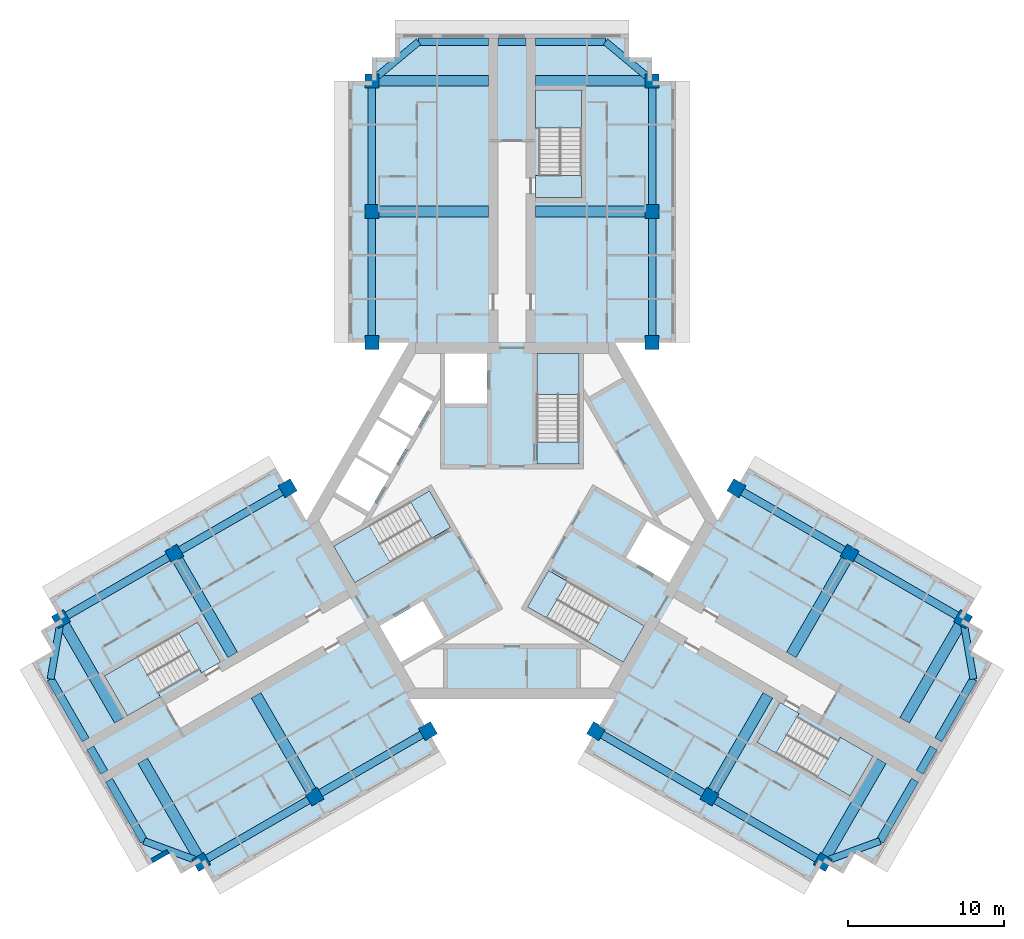
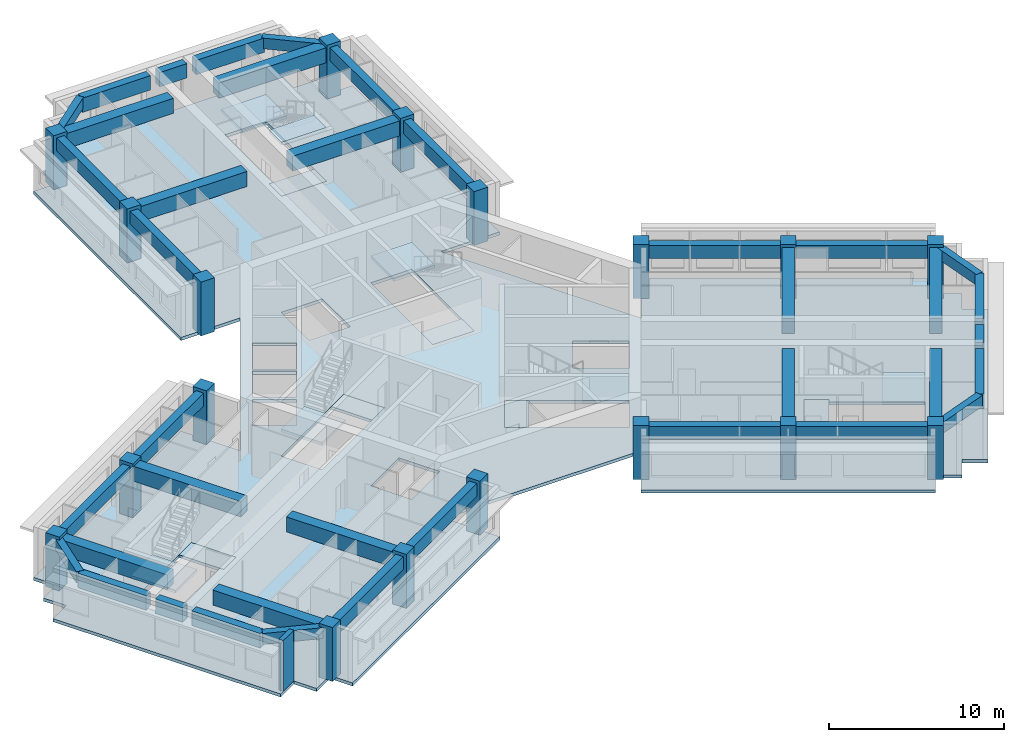
# One storey, part 1 of 10: 39 beams, 18 columns, 14 slabs, 1 wall, 6 elements without a shape of their own.
"""IFC4 building model written with IfcOpenShell, lengths in metres."""

from ifc_helpers import new_model, si_unit, direction, frame, frame_2d, origin, origin_2d, place, context, subcontext, project, spatial, polyline, rectangle, outline, extrude, material, layer, layer_set, material_profile, profile_set, type_object, element, aggregate, save


model = new_model("IFC4")

# Units and contexts
model_context = context("Model", 3, precision=1e-05, world=origin(), true_north=direction((0.0, 1.0)))
body_context = subcontext(model_context, "Body", "Model", "MODEL_VIEW")
ifc_project = project(units=[si_unit("LENGTHUNIT", "METRE"), si_unit("AREAUNIT", "SQUARE_METRE"), si_unit("VOLUMEUNIT", "CUBIC_METRE"), si_unit("PLANEANGLEUNIT", "RADIAN"), si_unit("MASSUNIT", "GRAM", prefix="KILO")], contexts=[model_context])

# Site, building, storey
site_placement = place(None, origin())
site = spatial("IfcSite", under=ifc_project, at=site_placement, CompositionType="ELEMENT")
building_placement = place(site_placement, origin())
building = spatial("IfcBuilding", under=site, at=building_placement, Name="Impinga Residences", CompositionType="ELEMENT")
storey_placement = place(building_placement, frame((0.0, 0.0, 267.25)))
storey = spatial("IfcBuildingStorey", under=building, at=storey_placement, Name="L67", CompositionType="ELEMENT", Elevation=267.25)

# Columns
ifc_material_1 = material(Name="Concrete C60/75", Category="concrete")
ifc_material_profile_1 = material_profile(ifc_material_1, rectangle(XDim=0.89990234375, YDim=0.89990234375, at=origin_2d()), Name="RC 900x900")
ifc_profile_set_1 = profile_set([ifc_material_profile_1], Name="Concrete C60/75")
column_type = type_object("IfcColumnType", Name="C4 900x900 column", PredefinedType="COLUMN", material=ifc_profile_set_1)
for number, where, z_axis, x_axis, name in (
    (1, (-9.0, 11.431640625, 0.0), (0.0, 0.0, 1.0), (1.0, 0.0, 0.0), "Column C4 N1/NA L67"),
    (2, (9.0, 11.431640625, 0.0), (0.0, 0.0, 1.0), (1.0, 0.0, 0.0), "Column C4 N1/NF L67"),
    (3, (-9.0, 19.83154296875, 0.0), (0.0, 0.0, 1.0), (1.0, 0.0, 0.0), "Column C4 N2/NA L67"),
    (4, (9.0, 19.83154296875, 0.0), (0.0, 0.0, 1.0), (1.0, 0.0, 0.0), "Column C4 N2/NF L67"),
    (5, (-9.0, 28.2314453125, 0.0), (0.0, 0.0, 1.0), (1.0, 0.0, 0.0), "Column C4 N3/NA L67"),
    (6, (9.0, 28.2314453125, 0.0), (0.0, 0.0, 1.0), (1.0, 0.0, 0.0), "Column C4 N3/NF L67"),
    (7, (-5.39990234375, -13.510009765625, 0.0), (0.0, 0.0, 1.0), (-0.5, 0.866025403784, 0.0), "Column C4 W1/WA L67"),
    (8, (-14.39990234375, 2.078369140625, 0.0), (0.0, 0.0, 1.0), (-0.5, 0.866025403784, 0.0), "Column C4 W1/WF L67"),
    (9, (-12.674560546875, -17.7099609375, 0.0), (0.0, 0.0, 1.0), (-0.5, 0.866025403784, 0.0), "Column C4 W2/WA L67"),
    (10, (-21.674560546875, -2.12158203125, 0.0), (0.0, 0.0, 1.0), (-0.5, 0.866025403784, 0.0), "Column C4 W2/WF L67"),
    (11, (-19.94921875, -21.909912109375, 0.0), (0.0, 0.0, 1.0), (-0.5, 0.866025403784, 0.0), "Column C4 W3/WA L67"),
    (12, (-28.94921875, -6.321533203125, 0.0), (0.0, 0.0, 1.0), (-0.5, 0.866025403784, 0.0), "Column C4 W3/WF L67"),
    (13, (14.39990234375, 2.078369140625, 0.0), (0.0, 0.0, 1.0), (-0.5, -0.866025403784, 0.0), "Column C4 E1/EA L67"),
    (14, (5.39990234375, -13.510009765625, 0.0), (0.0, 0.0, 1.0), (-0.5, -0.866025403784, 0.0), "Column C4 E1/EF L67"),
    (15, (21.674560546875, -2.12158203125, 0.0), (0.0, 0.0, 1.0), (-0.5, -0.866025403784, 0.0), "Column C4 E2/EA L67"),
    (16, (12.674560546875, -17.7099609375, 0.0), (0.0, 0.0, 1.0), (-0.5, -0.866025403784, 0.0), "Column C4 E2/EF L67"),
    (17, (28.94921875, -6.321533203125, 0.0), (0.0, 0.0, 1.0), (-0.5, -0.866025403784, 0.0), "Column C4 E3/EA L67"),
    (18, (19.94921875, -21.909912109375, 0.0), (0.0, 0.0, 1.0), (-0.5, -0.866025403784, 0.0), "Column C4 E3/EF L67"),
):
    element("IfcColumn", number, at=place(storey_placement, frame(where, z_axis=z_axis, x_axis=x_axis)), inside=storey, type_object=column_type, Name=name, PredefinedType="COLUMN", context=body_context, shape_type="SweptSolid", body=[
        extrude(rectangle(XDim=0.89990234375, YDim=0.89990234375, at=origin_2d()), origin(), (0.0, 0.0, 1.0), 3.75),
    ])

# Beams
ifc_material_profile_2 = material_profile(ifc_material_1, rectangle(XDim=0.449951171875, YDim=0.75, at=origin_2d()), Name="RC 450x750")
ifc_profile_set_2 = profile_set([ifc_material_profile_2], Name="Concrete C60/75")
beam_type_1 = type_object("IfcBeamType", Name="CB1 450x750 wing end cantilever beam", PredefinedType="BEAM", material=ifc_profile_set_2)
for number, where, z_axis, x_axis, name in (
    (19, (-9.0, 28.2314453125, 3.155029296875), (0.768221279597, 0.640184399664, 0.0), (-0.640184399664, 0.768221279597, 0.0), "Beam CB1 NB N3-NX level L68"),
    (20, (9.0, 28.2314453125, 3.155029296875), (-0.768221279597, 0.640184399664, 0.0), (-0.640184399664, -0.768221279597, 0.0), "Beam CB1 NE N3-NX level L68"),
    (21, (-19.94921875, -21.909912109375, 3.155029296875), (-0.93854043338, 0.345169313396, 0.0), (-0.345169313396, -0.93854043338, 0.0), "Beam CB1 WB W3-WX level L68"),
):
    element("IfcBeam", number, at=place(storey_placement, frame(where, z_axis=z_axis, x_axis=x_axis)), inside=storey, type_object=beam_type_1, Name=name, PredefinedType="BEAM", context=body_context, shape_type="SweptSolid", body=[
        extrude(rectangle(XDim=0.449951171875, YDim=0.75, at=origin_2d()), origin(), (0.0, 0.0, 1.0), 3.905029296875),
    ])
for number, where, z_axis, x_axis, name in (
    (22, (-28.94921875, -6.321533203125, 3.155029296875), (-0.170296298948, -0.985392901621, 0.0), (0.985392901621, -0.170296298948, 0.0), "Beam CB1 WE W3-WX level L68"),
    (23, (28.94921875, -6.321533203125, 3.155029296875), (0.170296298948, -0.985392901621, 0.0), (0.985392901621, 0.170296298948, 0.0), "Beam CB1 EB E3-EX level L68"),
):
    element("IfcBeam", number, at=place(storey_placement, frame(where, z_axis=z_axis, x_axis=x_axis)), inside=storey, type_object=beam_type_1, Name=name, PredefinedType="BEAM", context=body_context, shape_type="SweptSolid", body=[
        extrude(rectangle(XDim=0.449951171875, YDim=0.75, at=origin_2d()), origin(), (0.0, 0.0, 1.0), 3.9052734375),
    ])
beam_1_placement = place(storey_placement, frame((19.94921875, -21.909912109375, 3.155029296875), z_axis=(0.93854043338, 0.345169313396, 0.0), x_axis=(-0.345169313396, 0.93854043338, 0.0)))
element("IfcBeam", 24, at=beam_1_placement, inside=storey, type_object=beam_type_1, Name="Beam CB1 EE E3-EX level L68", PredefinedType="BEAM", context=body_context, shape_type="SweptSolid", body=[
    extrude(rectangle(XDim=0.449951171875, YDim=0.75, at=origin_2d()), origin(), (0.0, 0.0, 1.0), 3.905029296875),
])
ifc_material_profile_3 = material_profile(ifc_material_1, rectangle(XDim=0.699951171875, YDim=1.050048828125, at=origin_2d()), Name="RC 700x1050")
ifc_profile_set_3 = profile_set([ifc_material_profile_3], Name="Concrete C60/75")
beam_type_2 = type_object("IfcBeamType", Name="CG1 700x1050 cross girder on a wing bay line", PredefinedType="BEAM", material=ifc_profile_set_3)
for number, where, z_axis, x_axis, name in (
    (25, (-1.5, 19.83154296875, 3.0048828125), (-1.0, 0.0, 0.0), (0.0, -1.0, 0.0), "Beam CG1 N2 NC/NA level L68"),
    (26, (-1.5, 28.2314453125, 3.0048828125), (-1.0, 0.0, 0.0), (0.0, -1.0, 0.0), "Beam CG1 N3 NC/NA level L68"),
    (27, (1.5, 19.83154296875, 3.0048828125), (1.0, 0.0, 0.0), (0.0, 1.0, 0.0), "Beam CG1 N2 NC/NF level L68"),
    (28, (1.5, 28.2314453125, 3.0048828125), (1.0, 0.0, 0.0), (0.0, 1.0, 0.0), "Beam CG1 N3 NC/NF level L68"),
    (29, (-16.424560546875, -11.21484375, 3.0048828125), (0.500004234368, -0.866022959057, 0.0), (0.866022959057, 0.500004234368, 0.0), "Beam CG1 W2 WC/WA level L68"),
    (30, (-23.69921875, -15.414794921875, 3.0048828125), (0.500004234368, -0.866022959057, 0.0), (0.866022959057, 0.500004234368, 0.0), "Beam CG1 W3 WC/WA level L68"),
    (31, (-17.924560546875, -8.61669921875, 3.0048828125), (-0.500004234368, 0.866022959057, 0.0), (-0.866022959057, -0.500004234368, 0.0), "Beam CG1 W2 WC/WF level L68"),
    (32, (-25.19921875, -12.816650390625, 3.0048828125), (-0.500004234368, 0.866022959057, 0.0), (-0.866022959057, -0.500004234368, 0.0), "Beam CG1 W3 WC/WF level L68"),
    (33, (17.924560546875, -8.61669921875, 3.0048828125), (0.500004234368, 0.866022959057, 0.0), (-0.866022959057, 0.500004234368, 0.0), "Beam CG1 E2 EC/EA level L68"),
    (34, (25.19921875, -12.816650390625, 3.0048828125), (0.500004234368, 0.866022959057, 0.0), (-0.866022959057, 0.500004234368, 0.0), "Beam CG1 E3 EC/EA level L68"),
    (35, (16.424560546875, -11.21484375, 3.0048828125), (-0.500004234368, -0.866022959057, 0.0), (0.866022959057, -0.500004234368, 0.0), "Beam CG1 E2 EC/EF level L68"),
    (36, (23.69921875, -15.414794921875, 3.0048828125), (-0.500004234368, -0.866022959057, 0.0), (0.866022959057, -0.500004234368, 0.0), "Beam CG1 E3 EC/EF level L68"),
):
    element("IfcBeam", number, at=place(storey_placement, frame(where, z_axis=z_axis, x_axis=x_axis)), inside=storey, type_object=beam_type_2, Name=name, PredefinedType="BEAM", context=body_context, shape_type="SweptSolid", body=[
        extrude(rectangle(XDim=0.699951171875, YDim=1.050048828125, at=origin_2d()), origin(), (0.0, 0.0, 1.0), 7.5),
    ])
ifc_material_profile_4 = material_profile(ifc_material_1, rectangle(XDim=0.5, YDim=1.0, at=origin_2d()), Name="RC 500x1000")
ifc_profile_set_4 = profile_set([ifc_material_profile_4], Name="Concrete C60/75")
beam_type_3 = type_object("IfcBeamType", Name="EB1 500x1000 wing end beam", PredefinedType="BEAM", material=ifc_profile_set_4)
beam_2_placement = place(storey_placement, frame((-6.0, 30.7314453125, 3.030029296875), z_axis=(1.0, 0.0, 0.0), x_axis=(0.0, 1.0, 0.0)))
element("IfcBeam", 37, at=beam_2_placement, inside=storey, type_object=beam_type_3, Name="Beam EB1 NX2 level L68", PredefinedType="BEAM", context=body_context, shape_type="SweptSolid", body=[
    extrude(rectangle(XDim=0.5, YDim=1.0, at=origin_2d()), origin(), (0.0, 0.0, 1.0), 4.5),
])
beam_3_placement = place(storey_placement, frame((-0.89990234375, 30.7314453125, 3.030029296875), z_axis=(1.0, 0.0, 0.0), x_axis=(0.0, 1.0, 0.0)))
element("IfcBeam", 38, at=beam_3_placement, inside=storey, type_object=beam_type_3, Name="Beam EB1 NX2 level L68", PredefinedType="BEAM", context=body_context, shape_type="SweptSolid", body=[
    extrude(rectangle(XDim=0.5, YDim=1.0, at=origin_2d()), origin(), (0.0, 0.0, 1.0), 1.7998046875),
])
for number, where, z_axis, x_axis, name in (
    (39, (1.5, 30.7314453125, 3.030029296875), (1.0, 0.0, 0.0), (0.0, 1.0, 0.0), "Beam EB1 NX2 level L68"),
    (40, (-23.6142578125, -20.56201171875, 3.030029296875), (-0.499990139034, 0.866031096941, 0.0), (-0.866031096941, -0.499990139034, 0.0), "Beam EB1 WX2 level L68"),
):
    element("IfcBeam", number, at=place(storey_placement, frame(where, z_axis=z_axis, x_axis=x_axis)), inside=storey, type_object=beam_type_3, Name=name, PredefinedType="BEAM", context=body_context, shape_type="SweptSolid", body=[
        extrude(rectangle(XDim=0.5, YDim=1.0, at=origin_2d()), origin(), (0.0, 0.0, 1.0), 4.5),
    ])
beam_4_placement = place(storey_placement, frame((-26.164306640625, -16.145263671875, 3.030029296875), z_axis=(-0.499961193289, 0.866047807691, 0.0), x_axis=(-0.866047807691, -0.499961193289, 0.0)))
element("IfcBeam", 41, at=beam_4_placement, inside=storey, type_object=beam_type_3, Name="Beam EB1 WX2 level L68", PredefinedType="BEAM", context=body_context, shape_type="SweptSolid", body=[
    extrude(rectangle(XDim=0.5, YDim=1.0, at=origin_2d()), origin(), (0.0, 0.0, 1.0), 1.800048828125),
])
for number, where, z_axis, x_axis, name in (
    (42, (-27.3642578125, -14.066650390625, 3.030029296875), (-0.500013631625, 0.866017533419, 0.0), (-0.866017533419, -0.500013631625, 0.0), "Beam EB1 WX2 level L68"),
    (43, (29.6142578125, -10.169677734375, 3.030029296875), (-0.500013631625, -0.866017533419, 0.0), (0.866017533419, -0.500013631625, 0.0), "Beam EB1 EX2 level L68"),
):
    element("IfcBeam", number, at=place(storey_placement, frame(where, z_axis=z_axis, x_axis=x_axis)), inside=storey, type_object=beam_type_3, Name=name, PredefinedType="BEAM", context=body_context, shape_type="SweptSolid", body=[
        extrude(rectangle(XDim=0.5, YDim=1.0, at=origin_2d()), origin(), (0.0, 0.0, 1.0), 4.499755859375),
    ])
beam_5_placement = place(storey_placement, frame((27.064208984375, -14.58642578125, 3.030029296875), z_axis=(-0.499961193289, -0.866047807691, 0.0), x_axis=(0.866047807691, -0.499961193289, 0.0)))
element("IfcBeam", 44, at=beam_5_placement, inside=storey, type_object=beam_type_3, Name="Beam EB1 EX2 level L68", PredefinedType="BEAM", context=body_context, shape_type="SweptSolid", body=[
    extrude(rectangle(XDim=0.5, YDim=1.0, at=origin_2d()), origin(), (0.0, 0.0, 1.0), 1.800048828125),
])
beam_6_placement = place(storey_placement, frame((25.8642578125, -16.664794921875, 3.030029296875), z_axis=(-0.499990139034, -0.866031096941, 0.0), x_axis=(0.866031096941, -0.499990139034, 0.0)))
element("IfcBeam", 45, at=beam_6_placement, inside=storey, type_object=beam_type_3, Name="Beam EB1 EX2 level L68", PredefinedType="BEAM", context=body_context, shape_type="SweptSolid", body=[
    extrude(rectangle(XDim=0.5, YDim=1.0, at=origin_2d()), origin(), (0.0, 0.0, 1.0), 4.5),
])
ifc_material_profile_5 = material_profile(ifc_material_1, rectangle(XDim=0.5, YDim=0.89990234375, at=origin_2d()), Name="RC 500x900")
ifc_profile_set_5 = profile_set([ifc_material_profile_5], Name="Concrete C60/75")
beam_type_4 = type_object("IfcBeamType", Name="SB1 500x900 perimeter spandrel beam", PredefinedType="SPANDREL", material=ifc_profile_set_5)
for number, where, z_axis, x_axis, name in (
    (46, (-9.0, 11.431640625, 3.080078125), (0.0, 1.0, 0.0), (-1.0, 0.0, 0.0), "Beam SB1 NA N1-N2 level L68"),
    (47, (-9.0, 19.83154296875, 3.080078125), (0.0, 1.0, 0.0), (-1.0, 0.0, 0.0), "Beam SB1 NA N2-N3 level L68"),
    (48, (9.0, 11.431640625, 3.080078125), (0.0, 1.0, 0.0), (-1.0, 0.0, 0.0), "Beam SB1 NF N1-N2 level L68"),
    (49, (9.0, 19.83154296875, 3.080078125), (0.0, 1.0, 0.0), (-1.0, 0.0, 0.0), "Beam SB1 NF N2-N3 level L68"),
    (50, (-5.39990234375, -13.510009765625, 3.080078125), (-0.86602925447, -0.499993330357, 0.0), (0.499993330357, -0.86602925447, 0.0), "Beam SB1 WA W1-W2 level L68"),
    (51, (-12.674560546875, -17.7099609375, 3.080078125), (-0.86602925447, -0.499993330357, 0.0), (0.499993330357, -0.86602925447, 0.0), "Beam SB1 WA W2-W3 level L68"),
    (52, (-14.39990234375, 2.078369140625, 3.080078125), (-0.86602925447, -0.499993330357, 0.0), (0.499993330357, -0.86602925447, 0.0), "Beam SB1 WF W1-W2 level L68"),
    (53, (-21.674560546875, -2.12158203125, 3.080078125), (-0.86602925447, -0.499993330357, 0.0), (0.499993330357, -0.86602925447, 0.0), "Beam SB1 WF W2-W3 level L68"),
    (54, (14.39990234375, 2.078369140625, 3.080078125), (0.86602925447, -0.499993330357, 0.0), (0.499993330357, 0.86602925447, 0.0), "Beam SB1 EA E1-E2 level L68"),
    (55, (21.674560546875, -2.12158203125, 3.080078125), (0.86602925447, -0.499993330357, 0.0), (0.499993330357, 0.86602925447, 0.0), "Beam SB1 EA E2-E3 level L68"),
    (56, (5.39990234375, -13.510009765625, 3.080078125), (0.86602925447, -0.499993330357, 0.0), (0.499993330357, 0.86602925447, 0.0), "Beam SB1 EF E1-E2 level L68"),
    (57, (12.674560546875, -17.7099609375, 3.080078125), (0.86602925447, -0.499993330357, 0.0), (0.499993330357, 0.86602925447, 0.0), "Beam SB1 EF E2-E3 level L68"),
):
    element("IfcBeam", number, at=place(storey_placement, frame(where, z_axis=z_axis, x_axis=x_axis)), inside=storey, type_object=beam_type_4, Name=name, PredefinedType="SPANDREL", context=body_context, shape_type="SweptSolid", body=[
        extrude(rectangle(XDim=0.5, YDim=0.89990234375, at=origin_2d()), origin(), (0.0, 0.0, 1.0), 8.39990234375),
    ])

# Slab
ifc_layer_1 = layer(ifc_material_1, 0.219970703125)
ifc_layer_set_1 = layer_set([ifc_layer_1], Name="Concrete C60/75")
slab_type_1 = type_object("IfcSlabType", Name="FS1 tower floor slab 220", PredefinedType="FLOOR", material=ifc_layer_set_1)
slab_1_placement = place(storey_placement, frame((0.0, 0.0, -0.219970703125)))
element("IfcSlab", 58, at=slab_1_placement, inside=storey, type_object=slab_type_1, Name="Floor slab FS1 L67", PredefinedType="FLOOR", context=body_context, shape_type="SweptSolid", body=[
    extrude(outline(polyline([(-19.94921875, -21.909912109375), (-21.248291015625, -22.659912109375), (-21.998291015625, -21.36083984375), (-23.29736328125, -22.11083984375), (-30.79736328125, -9.12060546875), (-29.498291015625, -8.37060546875), (-30.248291015625, -7.071533203125), (-28.94921875, -6.321533203125), (-29.69921875, -5.0224609375), (-15.14990234375, 3.37744140625), (-13.199951171875, 0.0), (-6.60009765625, 11.431640625), (-10.5, 11.431640625), (-10.5, 28.2314453125), (-9.0, 28.2314453125), (-9.0, 29.7314453125), (-7.5, 29.7314453125), (-7.5, 31.2314453125), (7.5, 31.2314453125), (7.5, 29.7314453125), (9.0, 29.7314453125), (9.0, 28.2314453125), (10.5, 28.2314453125), (10.5, 11.431640625), (6.60009765625, 11.431640625), (13.199951171875, 0.0), (15.14990234375, 3.37744140625), (29.69921875, -5.0224609375), (28.94921875, -6.321533203125), (30.248291015625, -7.071533203125), (29.498291015625, -8.37060546875), (30.79736328125, -9.12060546875), (23.29736328125, -22.11083984375), (21.998291015625, -21.36083984375), (21.248291015625, -22.659912109375), (19.94921875, -21.909912109375), (19.19921875, -23.208984375), (4.64990234375, -14.80908203125), (9.900146484375, -5.7158203125), (6.60009765625, -11.431640625), (-6.60009765625, -11.431640625), (-9.900146484375, -5.7158203125), (-4.64990234375, -14.80908203125), (-19.19921875, -23.208984375), (-19.94921875, -21.909912109375)]), holes=[polyline([(-18.7041015625, -9.066650390625), (-18.8291015625, -8.850341796875), (-18.8291015625, -8.850341796875), (-20.178955078125, -6.511962890625), (-21.391357421875, -7.2119140625), (-21.391357421875, -7.2119140625), (-26.154541015625, -9.9619140625), (-24.8046875, -12.30029296875), (-20.04150390625, -9.55029296875), (-19.91650390625, -9.766845703125), (-18.7041015625, -9.066650390625)]), polyline([(-5.72119140625, -5.150634765625), (-8.493896484375, -6.75146484375), (-7.143798828125, -9.089599609375), (-4.37109375, -7.489013671875), (-5.72119140625, -5.150634765625)]), polyline([(-5.293701171875, 1.908935546875), (-11.44384765625, -1.641845703125), (-10.09375, -3.980224609375), (-3.943603515625, -0.429443359375), (-5.293701171875, 1.908935546875)]), polyline([(-7.878662109375, 2.816650390625), (-10.043701171875, 4.066650390625), (-11.34375, 1.81494140625), (-9.1787109375, 0.56494140625), (-7.878662109375, 2.816650390625)]), polyline([(-6.478759765625, 5.24169921875), (-8.643798828125, 6.49169921875), (-9.94384765625, 4.239990234375), (-7.77880859375, 2.989990234375), (-6.478759765625, 5.24169921875)]), polyline([(-6.378662109375, 5.414794921875), (-5.07861328125, 7.66650390625), (-7.243896484375, 8.91650390625), (-8.543701171875, 6.664794921875), (-6.378662109375, 5.414794921875)]), polyline([(-4.300048828125, 7.530029296875), (-1.60009765625, 7.530029296875), (-1.60009765625, 10.7314453125), (-4.300048828125, 10.7314453125), (-4.300048828125, 7.530029296875)]), polyline([(15.72900390625, -14.219482421875), (21.70458984375, -17.669677734375), (23.0546875, -15.331298828125), (18.29150390625, -12.581298828125), (18.41650390625, -12.36474609375), (17.2041015625, -11.664794921875), (15.72900390625, -14.219482421875)]), polyline([(0.99365234375, -5.538818359375), (7.143798828125, -9.089599609375), (8.493896484375, -6.75146484375), (2.34375, -3.20068359375), (0.99365234375, -5.538818359375)]), polyline([(7.3212890625, -2.37939453125), (10.09375, -3.980224609375), (11.44384765625, -1.641845703125), (8.671142578125, -0.041015625), (7.3212890625, -2.37939453125)]), polyline([(4.300048828125, 3.6298828125), (4.300048828125, 10.7314453125), (1.60009765625, 10.7314453125), (1.60009765625, 3.6298828125), (4.300048828125, 3.6298828125)]), polyline([(1.75, 22.131591796875), (1.5, 22.131591796875), (1.5, 20.7314453125), (1.75, 20.7314453125), (4.449951171875, 20.7314453125), (4.449951171875, 22.131591796875), (4.449951171875, 27.631591796875), (1.75, 27.631591796875), (1.75, 22.131591796875)])]), origin(), (0.0, 0.0, 1.0), 0.219970703125),
])

# Stair, slabs
ifc_material_2 = material(Name="Concrete C40/50", Category="concrete")
stair_type_1 = type_object("IfcStairType", Name="STR core stair 3750 storey, 24 risers", PredefinedType="HALF_TURN_STAIR", material=ifc_material_2)
stair_1_placement = place(storey_placement, origin())
stair_1 = element("IfcStair", 59, at=stair_1_placement, inside=storey, type_object=stair_type_1, Name="Stair ST1 L67", PredefinedType="HALF_TURN_STAIR")
ifc_layer_2 = layer(ifc_material_2, 0.199951171875)
ifc_layer_set_2 = layer_set([ifc_layer_2], Name="Concrete C40/50")
slab_type_2 = type_object("IfcSlabType", Name="LS1 stair landing 200", PredefinedType="LANDING", material=ifc_layer_set_2)
slab_2_placement = place(storey_placement, frame((0.0, 0.0, -0.199951171875)))
slab_2 = element("IfcSlab", 60, at=slab_2_placement, type_object=slab_type_2, Name="ST1 landing 1", PredefinedType="LANDING", context=body_context, shape_type="SweptSolid", body=[
    extrude(outline(polyline([(1.60009765625, 3.6298828125), (4.300048828125, 3.6298828125), (4.300048828125, 5.0400390625), (1.60009765625, 5.0400390625), (1.60009765625, 3.6298828125)])), origin(), (0.0, 0.0, 1.0), 0.199951171875),
])
slab_3_placement = place(storey_placement, frame((0.0, 0.0, 1.675048828125)))
slab_3 = element("IfcSlab", 61, at=slab_3_placement, type_object=slab_type_2, Name="ST1 landing 2", PredefinedType="LANDING", context=body_context, shape_type="SweptSolid", body=[
    extrude(outline(polyline([(1.60009765625, 8.10009765625), (4.300048828125, 8.10009765625), (4.300048828125, 10.7314453125), (1.60009765625, 10.7314453125), (1.60009765625, 8.10009765625)])), origin(), (0.0, 0.0, 1.0), 0.199951171875),
])
aggregate(stair_1, [slab_2, slab_3])

stair_2_placement = place(storey_placement, origin())
stair_2 = element("IfcStair", 62, at=stair_2_placement, inside=storey, type_object=stair_type_1, Name="Stair ST2 L67", PredefinedType="HALF_TURN_STAIR")
slab_4_placement = place(storey_placement, frame((0.0, 0.0, -0.199951171875)))
slab_4 = element("IfcSlab", 63, at=slab_4_placement, type_object=slab_type_2, Name="ST2 landing 1", PredefinedType="LANDING", context=body_context, shape_type="SweptSolid", body=[
    extrude(outline(polyline([(-3.943603515625, -0.429443359375), (-5.293701171875, 1.908935546875), (-6.5146484375, 1.203857421875), (-5.164794921875, -1.13427734375), (-3.943603515625, -0.429443359375)])), origin(), (0.0, 0.0, 1.0), 0.199951171875),
])
slab_5_placement = place(storey_placement, frame((0.0, 0.0, 1.675048828125)))
slab_5 = element("IfcSlab", 64, at=slab_5_placement, type_object=slab_type_2, Name="ST2 landing 2", PredefinedType="LANDING", context=body_context, shape_type="SweptSolid", body=[
    extrude(outline(polyline([(-7.814697265625, -2.664306640625), (-9.164794921875, -0.326171875), (-11.44384765625, -1.641845703125), (-10.09375, -3.980224609375), (-7.814697265625, -2.664306640625)])), origin(), (0.0, 0.0, 1.0), 0.199951171875),
])
aggregate(stair_2, [slab_4, slab_5])

stair_3_placement = place(storey_placement, origin())
stair_3 = element("IfcStair", 65, at=stair_3_placement, inside=storey, type_object=stair_type_1, Name="Stair ST3 L67", PredefinedType="HALF_TURN_STAIR")
slab_6_placement = place(storey_placement, frame((0.0, 0.0, -0.199951171875)))
slab_6 = element("IfcSlab", 66, at=slab_6_placement, type_object=slab_type_2, Name="ST3 landing 1", PredefinedType="LANDING", context=body_context, shape_type="SweptSolid", body=[
    extrude(outline(polyline([(2.34375, -3.20068359375), (0.99365234375, -5.538818359375), (2.21484375, -6.243896484375), (3.564697265625, -3.90576171875), (2.34375, -3.20068359375)])), origin(), (0.0, 0.0, 1.0), 0.199951171875),
])
slab_7_placement = place(storey_placement, frame((0.0, 0.0, 1.675048828125)))
slab_7 = element("IfcSlab", 67, at=slab_7_placement, type_object=slab_type_2, Name="ST3 landing 2", PredefinedType="LANDING", context=body_context, shape_type="SweptSolid", body=[
    extrude(outline(polyline([(6.21484375, -5.435546875), (4.86474609375, -7.77392578125), (7.143798828125, -9.089599609375), (8.493896484375, -6.75146484375), (6.21484375, -5.435546875)])), origin(), (0.0, 0.0, 1.0), 0.199951171875),
])
aggregate(stair_3, [slab_6, slab_7])

stair_type_2 = type_object("IfcStairType", Name="STR wing stair 3750 storey, 24 risers", PredefinedType="HALF_TURN_STAIR", material=ifc_material_2)
stair_4_placement = place(storey_placement, origin())
stair_4 = element("IfcStair", 68, at=stair_4_placement, inside=storey, type_object=stair_type_2, Name="Stair WS1 L67", PredefinedType="HALF_TURN_STAIR")
slab_8_placement = place(storey_placement, frame((0.0, 0.0, -0.199951171875)))
slab_8 = element("IfcSlab", 69, at=slab_8_placement, type_object=slab_type_2, Name="WS1 landing 1", PredefinedType="LANDING", context=body_context, shape_type="SweptSolid", body=[
    extrude(outline(polyline([(1.5, 20.7314453125), (4.449951171875, 20.7314453125), (4.449951171875, 22.1416015625), (1.5, 22.1416015625), (1.5, 20.7314453125)])), origin(), (0.0, 0.0, 1.0), 0.199951171875),
])
slab_9_placement = place(storey_placement, frame((0.0, 0.0, 1.675048828125)))
slab_9 = element("IfcSlab", 70, at=slab_9_placement, type_object=slab_type_2, Name="WS1 landing 2", PredefinedType="LANDING", context=body_context, shape_type="SweptSolid", body=[
    extrude(outline(polyline([(1.5, 25.201416015625), (4.449951171875, 25.201416015625), (4.449951171875, 27.631591796875), (1.5, 27.631591796875), (1.5, 25.201416015625)])), origin(), (0.0, 0.0, 1.0), 0.199951171875),
])
slab_10_placement = place(storey_placement, frame((0.0, 0.0, 3.550048828125)))
slab_10 = element("IfcSlab", 71, at=slab_10_placement, type_object=slab_type_2, Name="WS1 landing 3", PredefinedType="LANDING", context=body_context, shape_type="SweptSolid", body=[
    extrude(outline(polyline([(1.5, 20.7314453125), (4.449951171875, 20.7314453125), (4.449951171875, 22.1416015625), (1.5, 22.1416015625), (1.5, 20.7314453125)])), origin(), (0.0, 0.0, 1.0), 0.199951171875),
])
aggregate(stair_4, [slab_8, slab_9, slab_10])

stair_5_placement = place(storey_placement, origin())
stair_5 = element("IfcStair", 72, at=stair_5_placement, inside=storey, type_object=stair_type_2, Name="Stair WS2 L67", PredefinedType="HALF_TURN_STAIR")
slab_11_placement = place(storey_placement, frame((0.0, 0.0, -0.199951171875)))
slab_11 = element("IfcSlab", 73, at=slab_11_placement, type_object=slab_type_2, Name="WS2 landing 1", PredefinedType="LANDING", context=body_context, shape_type="SweptSolid", body=[
    extrude(outline(polyline([(-18.7041015625, -9.066650390625), (-20.178955078125, -6.511962890625), (-21.400146484375, -7.217041015625), (-19.925048828125, -9.771728515625), (-18.7041015625, -9.066650390625)])), origin(), (0.0, 0.0, 1.0), 0.199951171875),
])
slab_12_placement = place(storey_placement, frame((0.0, 0.0, 1.675048828125)))
slab_12 = element("IfcSlab", 74, at=slab_12_placement, type_object=slab_type_2, Name="WS2 landing 2", PredefinedType="LANDING", context=body_context, shape_type="SweptSolid", body=[
    extrude(outline(polyline([(-22.5751953125, -11.3017578125), (-24.050048828125, -8.7470703125), (-26.154541015625, -9.9619140625), (-24.6796875, -12.516845703125), (-22.5751953125, -11.3017578125)])), origin(), (0.0, 0.0, 1.0), 0.199951171875),
])
aggregate(stair_5, [slab_11, slab_12])

stair_6_placement = place(storey_placement, origin())
stair_6 = element("IfcStair", 75, at=stair_6_placement, inside=storey, type_object=stair_type_2, Name="Stair WS3 L67", PredefinedType="HALF_TURN_STAIR")
slab_13_placement = place(storey_placement, frame((0.0, 0.0, -0.199951171875)))
slab_13 = element("IfcSlab", 76, at=slab_13_placement, type_object=slab_type_2, Name="WS3 landing 1", PredefinedType="LANDING", context=body_context, shape_type="SweptSolid", body=[
    extrude(outline(polyline([(17.2041015625, -11.664794921875), (15.72900390625, -14.219482421875), (16.9501953125, -14.924560546875), (18.425048828125, -12.369873046875), (17.2041015625, -11.664794921875)])), origin(), (0.0, 0.0, 1.0), 0.199951171875),
])
slab_14_placement = place(storey_placement, frame((0.0, 0.0, 1.675048828125)))
slab_14 = element("IfcSlab", 77, at=slab_14_placement, type_object=slab_type_2, Name="WS3 landing 2", PredefinedType="LANDING", context=body_context, shape_type="SweptSolid", body=[
    extrude(outline(polyline([(21.0751953125, -13.89990234375), (19.60009765625, -16.45458984375), (21.70458984375, -17.669677734375), (23.1796875, -15.11474609375), (21.0751953125, -13.89990234375)])), origin(), (0.0, 0.0, 1.0), 0.199951171875),
])
aggregate(stair_6, [slab_13, slab_14])

# Wall
ifc_material_3 = material(Name="Terracotta rainscreen on blockwork", Category="masonry")
ifc_layer_3 = layer(ifc_material_3, 0.300048828125)
ifc_layer_set_3 = layer_set([ifc_layer_3], Name="EW1 external wall, terracotta rainscreen on blockwork 300")
wall_type = type_object("IfcWallType", Name="EW1 external wall, terracotta rainscreen on blockwork 300", PredefinedType="SOLIDWALL", material=ifc_layer_set_3)
wall_placement = place(storey_placement, frame((-22.07763671875, -21.233642578125, 0.0), z_axis=(0.0, 0.0, 1.0), x_axis=(-0.866059708757, -0.499940577336, 0.0)))
element("IfcWall", 78, at=wall_placement, inside=storey, type_object=wall_type, Name="External wall EW1 L67", PredefinedType="SOLIDWALL", context=body_context, shape_type="SweptSolid", body=[
    extrude(rectangle(XDim=1.195068359375, YDim=0.300048828125, at=frame_2d((0.59765625, 0.0))), origin(), (0.0, 0.0, 1.0), 3.530029296875),
])

save(model, "model.ifc")
